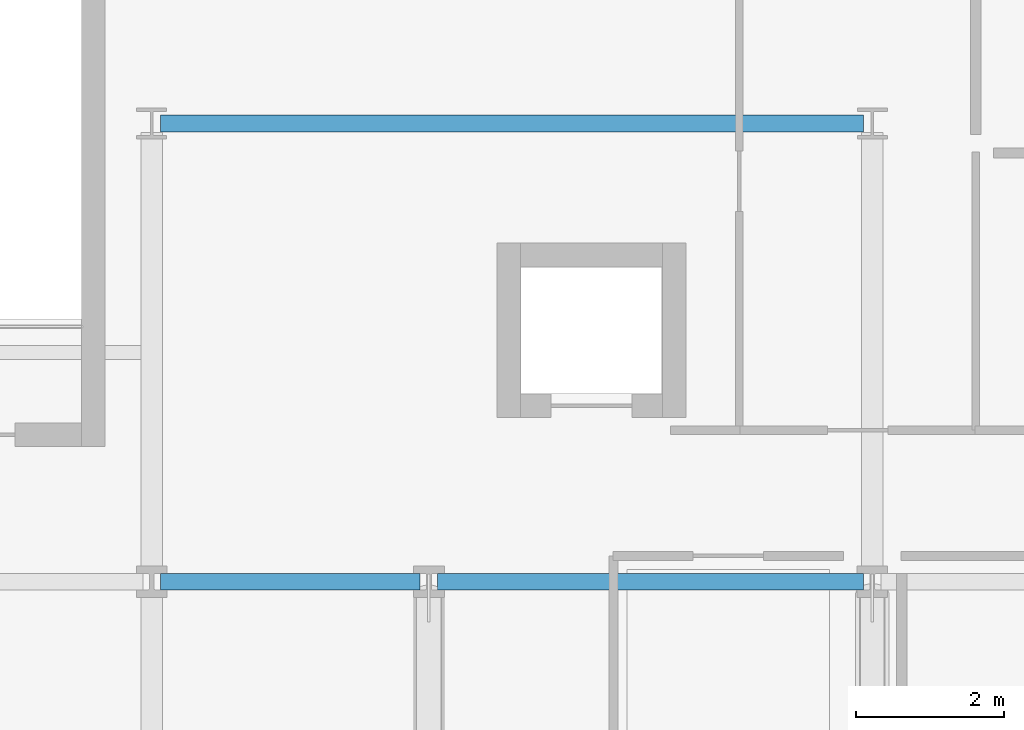
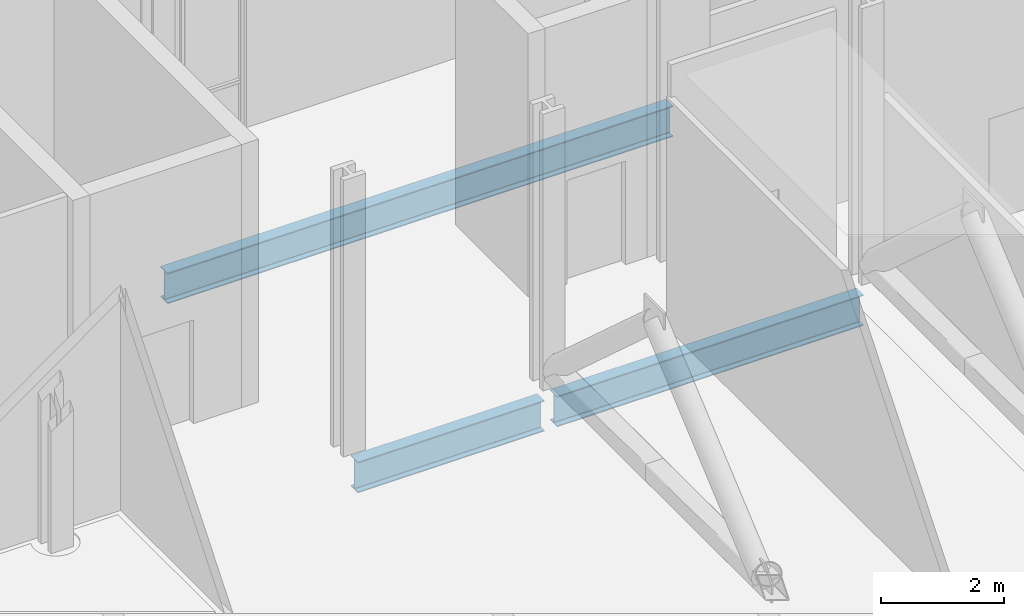
# One storey, part 6 of 17: 3 beams.
"""IFC4 building model written with IfcOpenShell, lengths in metres."""

from ifc_helpers import new_model, si_unit, direction, frame, origin, origin_2d, place, context, subcontext, project, spatial, i_section, extrude, material, material_profile, profile_set, type_object, element, save


model = new_model("IFC4")

# Units and contexts
model_context = context("Model", 3, precision=1e-05, world=origin(), true_north=direction((0.0, 1.0)))
body_context = subcontext(model_context, "Body", "Model", "MODEL_VIEW")
ifc_project = project(units=[si_unit("LENGTHUNIT", "METRE"), si_unit("AREAUNIT", "SQUARE_METRE"), si_unit("VOLUMEUNIT", "CUBIC_METRE"), si_unit("PLANEANGLEUNIT", "RADIAN"), si_unit("MASSUNIT", "GRAM", prefix="KILO")], contexts=[model_context])

# Site, building, storey
site_placement = place(None, origin())
site = spatial("IfcSite", under=ifc_project, at=site_placement, CompositionType="ELEMENT")
building_placement = place(site_placement, origin())
building = spatial("IfcBuilding", under=site, at=building_placement, Name="Brevholm Reach", CompositionType="ELEMENT")
storey_placement = place(building_placement, frame((0.0, 0.0, 22.5)))
storey = spatial("IfcBuildingStorey", under=building, at=storey_placement, Name="L05", CompositionType="ELEMENT", Elevation=22.5)

# Beams
ifc_material = material(Name="Structural Steel S355J2", Category="steel")
ifc_material_profile = material_profile(ifc_material, i_section(OverallWidth=0.22900390625, OverallDepth=0.6123046875, WebThickness=0.011962890625, FlangeThickness=0.01953125, FilletRadius=0.0126953125, at=origin_2d()), Name="UKB 610x229x125")
ifc_profile_set = profile_set([ifc_material_profile], Name="Structural Steel S355J2")
beam_type = type_object("IfcBeamType", Name="BM-SP610", PredefinedType="SPANDREL", material=ifc_profile_set)
beam_1_placement = place(storey_placement, frame((38.3701171875, 31.0, -0.586181640625), z_axis=(1.0, 0.0, 0.0), x_axis=(0.0, 1.0, 0.0)))
element("IfcBeam", 1, at=beam_1_placement, inside=storey, type_object=beam_type, Name="L05 SP-01 Framing Beam", PredefinedType="SPANDREL", context=body_context, shape_type="SweptSolid", body=[
    extrude(i_section(OverallWidth=0.22900390625, OverallDepth=0.6123046875, WebThickness=0.011962890625, FlangeThickness=0.01953125, FilletRadius=0.0126953125, at=origin_2d()), origin(), (0.0, 0.0, 1.0), 3.509765625),
])
beam_2_placement = place(storey_placement, frame((42.1201171875, 31.0, -0.586181640625), z_axis=(1.0, 0.0, 0.0), x_axis=(0.0, 1.0, 0.0)))
element("IfcBeam", 2, at=beam_2_placement, inside=storey, type_object=beam_type, Name="L05 SP-01 Framing Beam", PredefinedType="SPANDREL", context=body_context, shape_type="SweptSolid", body=[
    extrude(i_section(OverallWidth=0.22900390625, OverallDepth=0.6123046875, WebThickness=0.011962890625, FlangeThickness=0.01953125, FilletRadius=0.0126953125, at=origin_2d()), origin(), (0.0, 0.0, 1.0), 5.759765625),
])
beam_3_placement = place(storey_placement, frame((38.3701171875, 37.199951171875, -0.586181640625), z_axis=(1.0, 0.0, 0.0), x_axis=(0.0, 1.0, 0.0)))
element("IfcBeam", 3, at=beam_3_placement, inside=storey, type_object=beam_type, Name="L05 SP-01 Framing Beam", PredefinedType="SPANDREL", context=body_context, shape_type="SweptSolid", body=[
    extrude(i_section(OverallWidth=0.22900390625, OverallDepth=0.6123046875, WebThickness=0.011962890625, FlangeThickness=0.01953125, FilletRadius=0.0126953125, at=origin_2d()), origin(), (0.0, 0.0, 1.0), 9.509765625),
])

save(model, "model.ifc")
